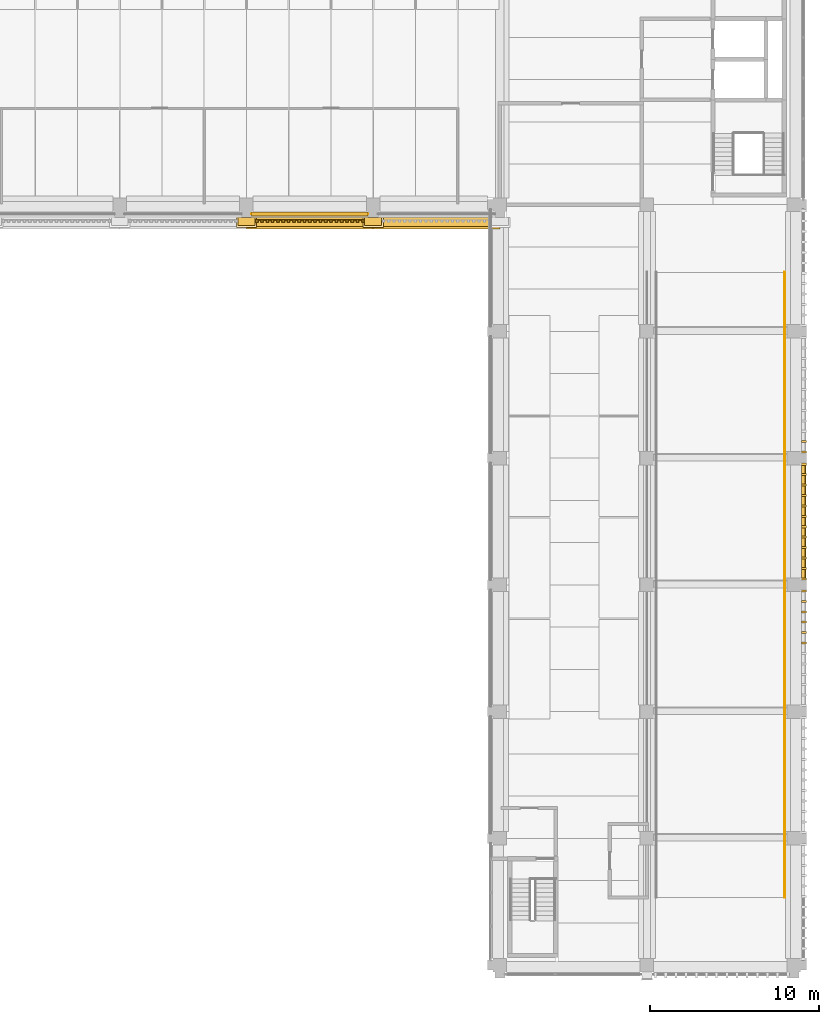
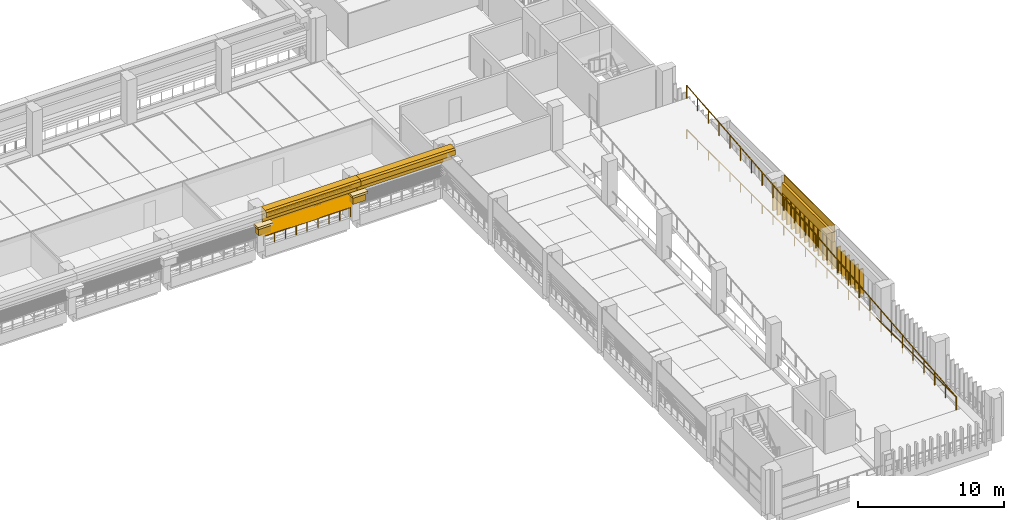
# One storey, part 60 of 71: 29 coverings, 5 shading devices, 3 railings.
"""IFC4 building model written with IfcOpenShell, lengths in metres."""

from ifc_helpers import new_model, si_unit, direction, frame, origin, origin_2d, place, context, subcontext, project, spatial, polyline, circle, outline, extrude, material, layer, layer_set, type_object, element, save


model = new_model("IFC4")

# Units and contexts
model_context = context("Model", 3, precision=1e-05, world=origin(), true_north=direction((0.0, 1.0)))
body_context = subcontext(model_context, "Body", "Model", "MODEL_VIEW")
ifc_project = project(units=[si_unit("LENGTHUNIT", "METRE"), si_unit("AREAUNIT", "SQUARE_METRE"), si_unit("VOLUMEUNIT", "CUBIC_METRE"), si_unit("PLANEANGLEUNIT", "RADIAN"), si_unit("MASSUNIT", "GRAM", prefix="KILO")], contexts=[model_context])

# Site, building, storey
site_placement = place(None, origin())
site = spatial("IfcSite", under=ifc_project, at=site_placement, CompositionType="ELEMENT")
building_placement = place(site_placement, origin())
building = spatial("IfcBuilding", under=site, at=building_placement, Name="Cour d'Honneur Mobility Palace", CompositionType="ELEMENT")
storey_placement = place(building_placement, frame((0.0, 0.0, 15.60009765625)))
storey = spatial("IfcBuildingStorey", under=building, at=storey_placement, Name="L04", CompositionType="ELEMENT", Elevation=15.60009765625)

# Railing
ifc_material_1 = material(Name="Painted steel", Category="steel")
railing_type_1 = type_object("IfcRailingType", Name="Balustrade", PredefinedType="BALUSTRADE", material=ifc_material_1)
railing_1_placement = place(storey_placement, frame((130.199951171875, 44.449951171875, 0.2998046875)))
element("IfcRailing", 1, at=railing_1_placement, inside=storey, type_object=railing_type_1, Name="Balustrade BAL-216", PredefinedType="BALUSTRADE", context=body_context, shape_type="SweptSolid", body=[
    extrude(circle(Radius=0.02392578125, at=origin_2d()), frame((0.0, 0.0, 0.77587890625), z_axis=(1.0, 0.0, 0.0), x_axis=(0.0, 1.0, 0.0)), (0.0, 0.0, 1.0), 6.900146484375),
    extrude(circle(Radius=0.02099609375, at=origin_2d()), origin(), (0.0, 0.0, 1.0), 0.751953125),
    extrude(circle(Radius=0.02099609375, at=origin_2d()), frame((0.862548828125, 0.0, 0.0)), (0.0, 0.0, 1.0), 0.751953125),
    extrude(circle(Radius=0.02099609375, at=origin_2d()), frame((1.72509765625, 0.0, 0.0)), (0.0, 0.0, 1.0), 0.751953125),
    extrude(circle(Radius=0.02099609375, at=origin_2d()), frame((2.587646484375, 0.0, 0.0)), (0.0, 0.0, 1.0), 0.751953125),
    extrude(circle(Radius=0.02099609375, at=origin_2d()), frame((3.4501953125, 0.0, 0.0)), (0.0, 0.0, 1.0), 0.751953125),
    extrude(circle(Radius=0.02099609375, at=origin_2d()), frame((4.3125, 0.0, 0.0)), (0.0, 0.0, 1.0), 0.751953125),
    extrude(circle(Radius=0.02099609375, at=origin_2d()), frame((5.175048828125, 0.0, 0.0)), (0.0, 0.0, 1.0), 0.751953125),
    extrude(circle(Radius=0.02099609375, at=origin_2d()), frame((6.03759765625, 0.0, 0.0)), (0.0, 0.0, 1.0), 0.751953125),
    extrude(circle(Radius=0.02099609375, at=origin_2d()), frame((6.900146484375, 0.0, 0.0)), (0.0, 0.0, 1.0), 0.751953125),
])

# Coverings
ifc_material_2 = material(Name="Cast limestone", Category="masonry")
ifc_layer_1 = layer(ifc_material_2, 0.14990234375)
ifc_layer_set_1 = layer_set([ifc_layer_1], Name="Cast limestone")
covering_type_1 = type_object("IfcCoveringType", Name="Dentil course", PredefinedType="CLADDING", material=ifc_layer_set_1)
covering_1_placement = place(storey_placement, frame((0.0, 0.0, 3.14990234375)))
element("IfcCovering", 2, at=covering_1_placement, inside=storey, type_object=covering_type_1, Name="Dentil course DC-81", PredefinedType="CLADDING", context=body_context, shape_type="SweptSolid", body=[
    extrude(outline(polyline([(130.35009765625, 44.10009765625), (136.949951171875, 44.10009765625), (136.949951171875, 44.070068359375), (136.949951171875, 44.070068359375), (136.871337890625, 44.070068359375), (136.871337890625, 43.949951171875), (136.71435546875, 43.949951171875), (136.71435546875, 44.070068359375), (136.6357421875, 44.070068359375), (136.6357421875, 44.070068359375), (136.55712890625, 44.070068359375), (136.55712890625, 43.949951171875), (136.39990234375, 43.949951171875), (136.39990234375, 44.070068359375), (136.321533203125, 44.070068359375), (136.321533203125, 44.070068359375), (136.242919921875, 44.070068359375), (136.242919921875, 43.949951171875), (136.085693359375, 43.949951171875), (136.085693359375, 44.070068359375), (136.007080078125, 44.070068359375), (136.007080078125, 44.070068359375), (135.928466796875, 44.070068359375), (135.928466796875, 43.949951171875), (135.771484375, 43.949951171875), (135.771484375, 44.070068359375), (135.69287109375, 44.070068359375), (135.69287109375, 44.070068359375), (135.6142578125, 44.070068359375), (135.6142578125, 43.949951171875), (135.45703125, 43.949951171875), (135.45703125, 44.070068359375), (135.378662109375, 44.070068359375), (135.378662109375, 44.070068359375), (135.300048828125, 44.070068359375), (135.300048828125, 43.949951171875), (135.142822265625, 43.949951171875), (135.142822265625, 44.070068359375), (135.064208984375, 44.070068359375), (135.064208984375, 44.070068359375), (134.985595703125, 44.070068359375), (134.985595703125, 43.949951171875), (134.82861328125, 43.949951171875), (134.82861328125, 44.070068359375), (134.75, 44.070068359375), (134.75, 44.070068359375), (134.67138671875, 44.070068359375), (134.67138671875, 43.949951171875), (134.514404296875, 43.949951171875), (134.514404296875, 44.070068359375), (134.435791015625, 44.070068359375), (134.435791015625, 44.070068359375), (134.357177734375, 44.070068359375), (134.357177734375, 43.949951171875), (134.199951171875, 43.949951171875), (134.199951171875, 44.070068359375), (134.121337890625, 44.070068359375), (134.121337890625, 44.070068359375), (134.04296875, 44.070068359375), (134.04296875, 43.949951171875), (133.8857421875, 43.949951171875), (133.8857421875, 44.070068359375), (133.80712890625, 44.070068359375), (133.80712890625, 44.070068359375), (133.728515625, 44.070068359375), (133.728515625, 43.949951171875), (133.571533203125, 43.949951171875), (133.571533203125, 44.070068359375), (133.492919921875, 44.070068359375), (133.492919921875, 44.070068359375), (133.414306640625, 44.070068359375), (133.414306640625, 43.949951171875), (133.257080078125, 43.949951171875), (133.257080078125, 44.070068359375), (133.178466796875, 44.070068359375), (133.178466796875, 44.070068359375), (133.10009765625, 44.070068359375), (133.10009765625, 43.949951171875), (132.94287109375, 43.949951171875), (132.94287109375, 44.070068359375), (132.8642578125, 44.070068359375), (132.8642578125, 44.070068359375), (132.78564453125, 44.070068359375), (132.78564453125, 43.949951171875), (132.628662109375, 43.949951171875), (132.628662109375, 44.070068359375), (132.550048828125, 44.070068359375), (132.550048828125, 44.070068359375), (132.471435546875, 44.070068359375), (132.471435546875, 43.949951171875), (132.314208984375, 43.949951171875), (132.314208984375, 44.070068359375), (132.235595703125, 44.070068359375), (132.235595703125, 44.070068359375), (132.1572265625, 44.070068359375), (132.1572265625, 43.949951171875), (132.0, 43.949951171875), (132.0, 44.070068359375), (131.92138671875, 44.070068359375), (131.92138671875, 44.070068359375), (131.8427734375, 44.070068359375), (131.8427734375, 43.949951171875), (131.685791015625, 43.949951171875), (131.685791015625, 44.070068359375), (131.607177734375, 44.070068359375), (131.607177734375, 44.070068359375), (131.528564453125, 44.070068359375), (131.528564453125, 43.949951171875), (131.371337890625, 43.949951171875), (131.371337890625, 44.070068359375), (131.29296875, 44.070068359375), (131.29296875, 44.070068359375), (131.21435546875, 44.070068359375), (131.21435546875, 43.949951171875), (131.05712890625, 43.949951171875), (131.05712890625, 44.070068359375), (130.978515625, 44.070068359375), (130.978515625, 44.070068359375), (130.89990234375, 44.070068359375), (130.89990234375, 43.949951171875), (130.742919921875, 43.949951171875), (130.742919921875, 44.070068359375), (130.664306640625, 44.070068359375), (130.664306640625, 44.070068359375), (130.585693359375, 44.070068359375), (130.585693359375, 43.949951171875), (130.428466796875, 43.949951171875), (130.428466796875, 44.070068359375), (130.35009765625, 44.070068359375), (130.35009765625, 44.10009765625)])), origin(), (0.0, 0.0, 1.0), 0.14990234375),
])
ifc_material_3 = material(Name="Cast limestone", Category="masonry")
ifc_layer_2 = layer(ifc_material_3, 0.699951171875)
ifc_layer_set_2 = layer_set([ifc_layer_2], Name="Cast limestone")
covering_type_2 = type_object("IfcCoveringType", Name="Entablature", PredefinedType="CLADDING", material=ifc_layer_set_2)
for number, where, z_axis, x_axis, name in (
    (3, (129.89990234375, 44.25, 2.599853515625), (-1.0, 0.0, 0.0), (0.0, -1.0, 0.0), "Entablature EN-81"),
    (4, (137.39990234375, 44.25, 2.599853515625), (-1.0, 0.0, 0.0), (0.0, -1.0, 0.0), "Entablature EN-82"),
):
    element("IfcCovering", number, at=place(storey_placement, frame(where, z_axis=z_axis, x_axis=x_axis)), inside=storey, type_object=covering_type_2, Name=name, PredefinedType="CLADDING", context=body_context, shape_type="SweptSolid", body=[
        extrude(outline(polyline([(0.0, 0.0), (0.14990234375, 0.0), (0.14990234375, 0.699951171875), (0.699951171875, 0.699951171875), (0.699951171875, 1.10009765625), (0.550048828125, 1.199951171875), (0.0, 1.199951171875), (0.0, 0.0)])), origin(), (0.0, 0.0, -1.0), 7.5),
    ])
ifc_material_4 = material(Name="Cast limestone", Category="masonry")
ifc_layer_3 = layer(ifc_material_4, 0.1201171875)
ifc_layer_set_3 = layer_set([ifc_layer_3], Name="Cast limestone")
covering_type_3 = type_object("IfcCoveringType", Name="Pilaster capital", PredefinedType="CLADDING", material=ifc_layer_set_3)
covering_2_placement = place(storey_placement, frame((0.0, 0.0, 1.7998046875)))
element("IfcCovering", 5, at=covering_2_placement, inside=storey, type_object=covering_type_3, Name="Pilaster capital PK-49", PredefinedType="CLADDING", context=body_context, shape_type="SweptSolid", body=[
    extrude(outline(polyline([(129.39990234375, 44.25), (130.39990234375, 44.25), (130.39990234375, 43.780029296875), (129.39990234375, 43.780029296875), (129.39990234375, 44.25)])), origin(), (0.0, 0.0, 1.0), 0.6201171875),
])
covering_3_placement = place(storey_placement, frame((0.0, 0.0, 2.419921875)))
element("IfcCovering", 6, at=covering_3_placement, inside=storey, type_object=covering_type_3, Name="Pilaster capital PK-50", PredefinedType="CLADDING", context=body_context, shape_type="SweptSolid", body=[
    extrude(outline(polyline([(129.300048828125, 44.25), (130.5, 44.25), (130.5, 43.64990234375), (129.300048828125, 43.64990234375), (129.300048828125, 44.25)])), origin(), (0.0, 0.0, 1.0), 0.179931640625),
])
covering_4_placement = place(storey_placement, frame((0.0, 0.0, 1.7998046875)))
element("IfcCovering", 7, at=covering_4_placement, inside=storey, type_object=covering_type_3, Name="Pilaster capital PK-51", PredefinedType="CLADDING", context=body_context, shape_type="SweptSolid", body=[
    extrude(outline(polyline([(136.89990234375, 44.25), (137.89990234375, 44.25), (137.89990234375, 43.780029296875), (136.89990234375, 43.780029296875), (136.89990234375, 44.25)])), origin(), (0.0, 0.0, 1.0), 0.6201171875),
])
covering_5_placement = place(storey_placement, frame((0.0, 0.0, 2.419921875)))
element("IfcCovering", 8, at=covering_5_placement, inside=storey, type_object=covering_type_3, Name="Pilaster capital PK-52", PredefinedType="CLADDING", context=body_context, shape_type="SweptSolid", body=[
    extrude(outline(polyline([(136.800048828125, 44.25), (138.0, 44.25), (138.0, 43.64990234375), (136.800048828125, 43.64990234375), (136.800048828125, 44.25)])), origin(), (0.0, 0.0, 1.0), 0.179931640625),
])

# Railing
ifc_material_5 = material(Name="Painted steel", Category="steel")
railing_type_2 = type_object("IfcRailingType", Name="Ramp guard 1100", PredefinedType="GUARDRAIL", material=ifc_material_5)
railing_2_placement = place(storey_placement, frame((161.75, 4.0, 0.0)))
element("IfcRailing", 9, at=railing_2_placement, inside=storey, type_object=railing_type_2, Name="Ramp guard Ramp East 5", PredefinedType="GUARDRAIL", context=body_context, shape_type="SweptSolid", body=[
    extrude(circle(Radius=0.02490234375, at=origin_2d()), frame((0.0, 0.0, 1.0751953125), z_axis=(0.0, 0.995037320222, 0.099502418892), x_axis=(-1.0, 0.0, 0.0)), (0.0, 0.0, 1.0), 37.1845703125),
    extrude(circle(Radius=0.02099609375, at=origin_2d()), origin(), (0.0, 0.0, 1.0), 1.050048828125),
    extrude(circle(Radius=0.02099609375, at=origin_2d()), frame((0.0, 1.47998046875, 0.14794921875)), (0.0, 0.0, 1.0), 1.050048828125),
    extrude(circle(Radius=0.02099609375, at=origin_2d()), frame((0.0, 2.9599609375, 0.2958984375)), (0.0, 0.0, 1.0), 1.050048828125),
    extrude(circle(Radius=0.02099609375, at=origin_2d()), frame((0.0, 4.43994140625, 0.444091796875)), (0.0, 0.0, 1.0), 1.050048828125),
    extrude(circle(Radius=0.02099609375, at=origin_2d()), frame((0.0, 5.919921875, 0.592041015625)), (0.0, 0.0, 1.0), 1.050048828125),
    extrude(circle(Radius=0.02099609375, at=origin_2d()), frame((0.0, 7.39990234375, 0.739990234375)), (0.0, 0.0, 1.0), 1.050048828125),
    extrude(circle(Radius=0.02099609375, at=origin_2d()), frame((0.0, 8.8798828125, 0.887939453125)), (0.0, 0.0, 1.0), 1.050048828125),
    extrude(circle(Radius=0.02099609375, at=origin_2d()), frame((0.0, 10.360107421875, 1.035888671875)), (0.0, 0.0, 1.0), 1.050048828125),
    extrude(circle(Radius=0.02099609375, at=origin_2d()), frame((0.0, 11.840087890625, 1.18408203125)), (0.0, 0.0, 1.0), 1.050048828125),
    extrude(circle(Radius=0.02099609375, at=origin_2d()), frame((0.0, 13.320068359375, 1.33203125)), (0.0, 0.0, 1.0), 1.050048828125),
    extrude(circle(Radius=0.02099609375, at=origin_2d()), frame((0.0, 14.800048828125, 1.47998046875)), (0.0, 0.0, 1.0), 1.050048828125),
    extrude(circle(Radius=0.02099609375, at=origin_2d()), frame((0.0, 16.280029296875, 1.6279296875)), (0.0, 0.0, 1.0), 1.050048828125),
    extrude(circle(Radius=0.02099609375, at=origin_2d()), frame((0.0, 17.760009765625, 1.77587890625)), (0.0, 0.0, 1.0), 1.050048828125),
    extrude(circle(Radius=0.02099609375, at=origin_2d()), frame((0.0, 19.239990234375, 1.924072265625)), (0.0, 0.0, 1.0), 1.050048828125),
    extrude(circle(Radius=0.02099609375, at=origin_2d()), frame((0.0, 20.719970703125, 2.072021484375)), (0.0, 0.0, 1.0), 1.050048828125),
    extrude(circle(Radius=0.02099609375, at=origin_2d()), frame((0.0, 22.199951171875, 2.219970703125)), (0.0, 0.0, 1.0), 1.050048828125),
    extrude(circle(Radius=0.02099609375, at=origin_2d()), frame((0.0, 23.679931640625, 2.367919921875)), (0.0, 0.0, 1.0), 1.050048828125),
    extrude(circle(Radius=0.02099609375, at=origin_2d()), frame((0.0, 25.159912109375, 2.515869140625)), (0.0, 0.0, 1.0), 1.050048828125),
    extrude(circle(Radius=0.02099609375, at=origin_2d()), frame((0.0, 26.639892578125, 2.6640625)), (0.0, 0.0, 1.0), 1.050048828125),
    extrude(circle(Radius=0.02099609375, at=origin_2d()), frame((0.0, 28.1201171875, 2.81201171875)), (0.0, 0.0, 1.0), 1.050048828125),
    extrude(circle(Radius=0.02099609375, at=origin_2d()), frame((0.0, 29.60009765625, 2.9599609375)), (0.0, 0.0, 1.0), 1.050048828125),
    extrude(circle(Radius=0.02099609375, at=origin_2d()), frame((0.0, 31.080078125, 3.10791015625)), (0.0, 0.0, 1.0), 1.050048828125),
    extrude(circle(Radius=0.02099609375, at=origin_2d()), frame((0.0, 32.56005859375, 3.255859375)), (0.0, 0.0, 1.0), 1.050048828125),
    extrude(circle(Radius=0.02099609375, at=origin_2d()), frame((0.0, 34.0400390625, 3.404052734375)), (0.0, 0.0, 1.0), 1.050048828125),
    extrude(circle(Radius=0.02099609375, at=origin_2d()), frame((0.0, 35.52001953125, 3.552001953125)), (0.0, 0.0, 1.0), 1.050048828125),
    extrude(circle(Radius=0.02099609375, at=origin_2d()), frame((0.0, 37.0, 3.699951171875)), (0.0, 0.0, 1.0), 1.050048828125),
])

# Coverings
ifc_material_6 = material(Name="Cast limestone", Category="masonry")
ifc_layer_4 = layer(ifc_material_6, 0.1201171875)
ifc_layer_set_4 = layer_set([ifc_layer_4], Name="Cast limestone")
covering_type_4 = type_object("IfcCoveringType", Name="Ramp screen fin", PredefinedType="CLADDING", material=ifc_layer_set_4)
covering_6_placement = place(storey_placement, origin())
element("IfcCovering", 10, at=covering_6_placement, inside=storey, type_object=covering_type_4, Name="Ramp screen fin E5.2 L04 7", PredefinedType="CLADDING", context=body_context, shape_type="SweptSolid", body=[
    extrude(outline(polyline([(162.75, 18.998291015625), (162.75, 19.1181640625), (163.050048828125, 19.1181640625), (163.050048828125, 18.998291015625), (162.75, 18.998291015625)])), origin(), (0.0, 0.0, 1.0), 2.2998046875),
])
covering_7_placement = place(storey_placement, origin())
element("IfcCovering", 11, at=covering_7_placement, inside=storey, type_object=covering_type_4, Name="Ramp screen fin E5.2 L04 8", PredefinedType="CLADDING", context=body_context, shape_type="SweptSolid", body=[
    extrude(outline(polyline([(162.75, 19.614501953125), (162.75, 19.734619140625), (163.050048828125, 19.734619140625), (163.050048828125, 19.614501953125), (162.75, 19.614501953125)])), origin(), (0.0, 0.0, 1.0), 2.2998046875),
])
covering_8_placement = place(storey_placement, origin())
element("IfcCovering", 12, at=covering_8_placement, inside=storey, type_object=covering_type_4, Name="Ramp screen fin E5.2 L04 9", PredefinedType="CLADDING", context=body_context, shape_type="SweptSolid", body=[
    extrude(outline(polyline([(162.75, 20.23095703125), (162.75, 20.350830078125), (163.050048828125, 20.350830078125), (163.050048828125, 20.23095703125), (162.75, 20.23095703125)])), origin(), (0.0, 0.0, 1.0), 2.2998046875),
])
covering_9_placement = place(storey_placement, origin())
element("IfcCovering", 13, at=covering_9_placement, inside=storey, type_object=covering_type_4, Name="Ramp screen fin E5.2 L04 10", PredefinedType="CLADDING", context=body_context, shape_type="SweptSolid", body=[
    extrude(outline(polyline([(162.75, 20.84716796875), (162.75, 20.96728515625), (163.050048828125, 20.96728515625), (163.050048828125, 20.84716796875), (162.75, 20.84716796875)])), origin(), (0.0, 0.0, 1.0), 2.2998046875),
])
covering_10_placement = place(storey_placement, origin())
element("IfcCovering", 14, at=covering_10_placement, inside=storey, type_object=covering_type_4, Name="Ramp screen fin E5.2 L04 11", PredefinedType="CLADDING", context=body_context, shape_type="SweptSolid", body=[
    extrude(outline(polyline([(162.75, 21.463623046875), (162.75, 21.583740234375), (163.050048828125, 21.583740234375), (163.050048828125, 21.463623046875), (162.75, 21.463623046875)])), origin(), (0.0, 0.0, 1.0), 2.2998046875),
])
covering_11_placement = place(storey_placement, origin())
element("IfcCovering", 15, at=covering_11_placement, inside=storey, type_object=covering_type_4, Name="Ramp screen fin E5.2 L04 12", PredefinedType="CLADDING", context=body_context, shape_type="SweptSolid", body=[
    extrude(outline(polyline([(162.75, 22.080078125), (162.75, 22.199951171875), (163.050048828125, 22.199951171875), (163.050048828125, 22.080078125), (162.75, 22.080078125)])), origin(), (0.0, 0.0, 1.0), 2.2998046875),
])
covering_12_placement = place(storey_placement, origin())
element("IfcCovering", 16, at=covering_12_placement, inside=storey, type_object=covering_type_4, Name="Ramp screen fin E5.3 L04 1", PredefinedType="CLADDING", context=body_context, shape_type="SweptSolid", body=[
    extrude(outline(polyline([(162.75, 22.800048828125), (162.75, 22.919921875), (163.050048828125, 22.919921875), (163.050048828125, 22.800048828125), (162.75, 22.800048828125)])), origin(), (0.0, 0.0, 1.0), 2.2998046875),
])
covering_13_placement = place(storey_placement, origin())
element("IfcCovering", 17, at=covering_13_placement, inside=storey, type_object=covering_type_4, Name="Ramp screen fin E5.3 L04 2", PredefinedType="CLADDING", context=body_context, shape_type="SweptSolid", body=[
    extrude(outline(polyline([(162.75, 23.416259765625), (162.75, 23.536376953125), (163.050048828125, 23.536376953125), (163.050048828125, 23.416259765625), (162.75, 23.416259765625)])), origin(), (0.0, 0.0, 1.0), 2.2998046875),
])
covering_14_placement = place(storey_placement, origin())
element("IfcCovering", 18, at=covering_14_placement, inside=storey, type_object=covering_type_4, Name="Ramp screen fin E5.3 L04 3", PredefinedType="CLADDING", context=body_context, shape_type="SweptSolid", body=[
    extrude(outline(polyline([(162.75, 24.03271484375), (162.75, 24.15283203125), (163.050048828125, 24.15283203125), (163.050048828125, 24.03271484375), (162.75, 24.03271484375)])), origin(), (0.0, 0.0, 1.0), 2.2998046875),
])
covering_15_placement = place(storey_placement, origin())
element("IfcCovering", 19, at=covering_15_placement, inside=storey, type_object=covering_type_4, Name="Ramp screen fin E5.3 L04 4", PredefinedType="CLADDING", context=body_context, shape_type="SweptSolid", body=[
    extrude(outline(polyline([(162.75, 24.649169921875), (162.75, 24.76904296875), (163.050048828125, 24.76904296875), (163.050048828125, 24.649169921875), (162.75, 24.649169921875)])), origin(), (0.0, 0.0, 1.0), 2.2998046875),
])
covering_16_placement = place(storey_placement, origin())
element("IfcCovering", 20, at=covering_16_placement, inside=storey, type_object=covering_type_4, Name="Ramp screen fin E5.3 L04 5", PredefinedType="CLADDING", context=body_context, shape_type="SweptSolid", body=[
    extrude(outline(polyline([(162.75, 25.265380859375), (162.75, 25.385498046875), (163.050048828125, 25.385498046875), (163.050048828125, 25.265380859375), (162.75, 25.265380859375)])), origin(), (0.0, 0.0, 1.0), 2.2998046875),
])
covering_17_placement = place(storey_placement, origin())
element("IfcCovering", 21, at=covering_17_placement, inside=storey, type_object=covering_type_4, Name="Ramp screen fin E5.3 L04 6", PredefinedType="CLADDING", context=body_context, shape_type="SweptSolid", body=[
    extrude(outline(polyline([(162.75, 25.8818359375), (162.75, 26.001708984375), (163.050048828125, 26.001708984375), (163.050048828125, 25.8818359375), (162.75, 25.8818359375)])), origin(), (0.0, 0.0, 1.0), 2.2998046875),
])
covering_18_placement = place(storey_placement, origin())
element("IfcCovering", 22, at=covering_18_placement, inside=storey, type_object=covering_type_4, Name="Ramp screen fin E5.3 L04 7", PredefinedType="CLADDING", context=body_context, shape_type="SweptSolid", body=[
    extrude(outline(polyline([(162.75, 26.498291015625), (162.75, 26.6181640625), (163.050048828125, 26.6181640625), (163.050048828125, 26.498291015625), (162.75, 26.498291015625)])), origin(), (0.0, 0.0, 1.0), 2.2998046875),
])
covering_19_placement = place(storey_placement, origin())
element("IfcCovering", 23, at=covering_19_placement, inside=storey, type_object=covering_type_4, Name="Ramp screen fin E5.3 L04 8", PredefinedType="CLADDING", context=body_context, shape_type="SweptSolid", body=[
    extrude(outline(polyline([(162.75, 27.114501953125), (162.75, 27.234619140625), (163.050048828125, 27.234619140625), (163.050048828125, 27.114501953125), (162.75, 27.114501953125)])), origin(), (0.0, 0.0, 1.0), 2.2998046875),
])
covering_20_placement = place(storey_placement, origin())
element("IfcCovering", 24, at=covering_20_placement, inside=storey, type_object=covering_type_4, Name="Ramp screen fin E5.3 L04 9", PredefinedType="CLADDING", context=body_context, shape_type="SweptSolid", body=[
    extrude(outline(polyline([(162.75, 27.73095703125), (162.75, 27.850830078125), (163.050048828125, 27.850830078125), (163.050048828125, 27.73095703125), (162.75, 27.73095703125)])), origin(), (0.0, 0.0, 1.0), 2.2998046875),
])
covering_21_placement = place(storey_placement, origin())
element("IfcCovering", 25, at=covering_21_placement, inside=storey, type_object=covering_type_4, Name="Ramp screen fin E5.3 L04 10", PredefinedType="CLADDING", context=body_context, shape_type="SweptSolid", body=[
    extrude(outline(polyline([(162.75, 28.34716796875), (162.75, 28.46728515625), (163.050048828125, 28.46728515625), (163.050048828125, 28.34716796875), (162.75, 28.34716796875)])), origin(), (0.0, 0.0, 1.0), 2.2998046875),
])
covering_22_placement = place(storey_placement, origin())
element("IfcCovering", 26, at=covering_22_placement, inside=storey, type_object=covering_type_4, Name="Ramp screen fin E5.3 L04 11", PredefinedType="CLADDING", context=body_context, shape_type="SweptSolid", body=[
    extrude(outline(polyline([(162.75, 28.963623046875), (162.75, 29.083740234375), (163.050048828125, 29.083740234375), (163.050048828125, 28.963623046875), (162.75, 28.963623046875)])), origin(), (0.0, 0.0, 1.0), 2.2998046875),
])
covering_23_placement = place(storey_placement, origin())
element("IfcCovering", 27, at=covering_23_placement, inside=storey, type_object=covering_type_4, Name="Ramp screen fin E5.3 L04 12", PredefinedType="CLADDING", context=body_context, shape_type="SweptSolid", body=[
    extrude(outline(polyline([(162.75, 29.580078125), (162.75, 29.699951171875), (163.050048828125, 29.699951171875), (163.050048828125, 29.580078125), (162.75, 29.580078125)])), origin(), (0.0, 0.0, 1.0), 2.2998046875),
])
covering_24_placement = place(storey_placement, origin())
element("IfcCovering", 28, at=covering_24_placement, inside=storey, type_object=covering_type_4, Name="Ramp screen fin E5.4 L04 1", PredefinedType="CLADDING", context=body_context, shape_type="SweptSolid", body=[
    extrude(outline(polyline([(162.75, 30.300048828125), (162.75, 30.419921875), (163.050048828125, 30.419921875), (163.050048828125, 30.300048828125), (162.75, 30.300048828125)])), origin(), (0.0, 0.0, 1.0), 2.2998046875),
])
covering_25_placement = place(storey_placement, origin())
element("IfcCovering", 29, at=covering_25_placement, inside=storey, type_object=covering_type_4, Name="Ramp screen fin E5.4 L04 2", PredefinedType="CLADDING", context=body_context, shape_type="SweptSolid", body=[
    extrude(outline(polyline([(162.75, 30.916259765625), (162.75, 31.036376953125), (163.050048828125, 31.036376953125), (163.050048828125, 30.916259765625), (162.75, 30.916259765625)])), origin(), (0.0, 0.0, 1.0), 2.2998046875),
])
ifc_material_7 = material(Name="Cast limestone", Category="masonry")
ifc_layer_5 = layer(ifc_material_7, 0.25)
ifc_layer_set_5 = layer_set([ifc_layer_5], Name="Cast limestone")
covering_type_5 = type_object("IfcCoveringType", Name="Spandrel cladding", PredefinedType="CLADDING", material=ifc_layer_set_5)
for number, where, z_axis, x_axis, name in (
    (30, (130.199951171875, 44.550048828125, 2.2998046875), (-1.0, 0.0, 0.0), (0.0, -1.0, 0.0), "Spandrel cladding SK-292"),
    (31, (162.75, 22.800048828125, 2.2998046875), (0.0, -1.0, 0.0), (1.0, 0.0, 0.0), "Spandrel cladding SK-300"),
):
    element("IfcCovering", number, at=place(storey_placement, frame(where, z_axis=z_axis, x_axis=x_axis)), inside=storey, type_object=covering_type_5, Name=name, PredefinedType="CLADDING", context=body_context, shape_type="SweptSolid", body=[
        extrude(outline(polyline([(0.0, 0.0), (0.25, 0.0), (0.25, 1.400146484375), (0.199951171875, 1.400146484375), (0.199951171875, 0.800048828125), (0.0, 0.800048828125), (0.0, 0.0)])), origin(), (0.0, 0.0, -1.0), 6.89990234375),
    ])

# Shading devices
ifc_material_8 = material(Name="Terracotta", Category="masonry")
ifc_layer_6 = layer(ifc_material_8, 0.02490234375)
ifc_layer_set_6 = layer_set([ifc_layer_6], Name="Terracotta")
shading_device_type = type_object("IfcShadingDeviceType", Name="Terracotta louvre blade", PredefinedType="JALOUSIE", material=ifc_layer_set_6)
for number, where, z_axis, x_axis, name in (
    (32, (130.199951171875, 44.55615234375, 1.099853515625), (0.0, 0.707106781187, 0.707106781187), (1.0, 0.0, 0.0), "Louvre blade LV-1 S2.15 L04 1"),
    (33, (130.199951171875, 44.55615234375, 1.31201171875), (0.0, 0.707106781187, 0.707106781187), (1.0, 0.0, 0.0), "Louvre blade LV-1 S2.15 L04 2"),
    (34, (130.199951171875, 44.55615234375, 1.524169921875), (0.0, 0.707106781187, 0.707106781187), (1.0, 0.0, 0.0), "Louvre blade LV-1 S2.15 L04 3"),
    (35, (130.199951171875, 44.55615234375, 1.736328125), (0.0, 0.707106781187, 0.707106781187), (1.0, 0.0, 0.0), "Louvre blade LV-1 S2.15 L04 4"),
    (36, (130.199951171875, 44.55615234375, 1.948486328125), (0.0, 0.707106781187, 0.707106781187), (1.0, 0.0, 0.0), "Louvre blade LV-1 S2.15 L04 5"),
):
    element("IfcShadingDevice", number, at=place(storey_placement, frame(where, z_axis=z_axis, x_axis=x_axis)), inside=storey, type_object=shading_device_type, Name=name, PredefinedType="JALOUSIE", context=body_context, shape_type="SweptSolid", body=[
        extrude(outline(polyline([(0.0, 0.0), (6.900146484375, 0.0), (6.900146484375, -0.300037008228081), (0.0, -0.300037008228081), (0.0, 0.0)])), origin(), (0.0, 0.0, -1.0), 0.02490234375),
    ])

# Railing
ifc_material_9 = material(Name="Painted steel", Category="steel")
railing_type_3 = type_object("IfcRailingType", Name="Void edge guard 1100", PredefinedType="GUARDRAIL", material=ifc_material_9)
railing_3_placement = place(storey_placement, frame((161.75, 4.0, 0.2998046875)))
element("IfcRailing", 37, at=railing_3_placement, inside=storey, type_object=railing_type_3, Name="Void edge guard SE L04", PredefinedType="GUARDRAIL", context=body_context, shape_type="SweptSolid", body=[
    extrude(circle(Radius=0.02490234375, at=origin_2d()), frame((0.0, 0.0, 0.77490234375), z_axis=(0.0, 1.0, 0.0), x_axis=(-1.0, 0.0, 0.0)), (0.0, 0.0, 1.0), 37.0),
    extrude(circle(Radius=0.02099609375, at=origin_2d()), origin(), (0.0, 0.0, 1.0), 0.75),
    extrude(circle(Radius=0.02099609375, at=origin_2d()), frame((0.0, 1.47998046875, 0.0)), (0.0, 0.0, 1.0), 0.75),
    extrude(circle(Radius=0.02099609375, at=origin_2d()), frame((0.0, 2.9599609375, 0.0)), (0.0, 0.0, 1.0), 0.75),
    extrude(circle(Radius=0.02099609375, at=origin_2d()), frame((0.0, 4.43994140625, 0.0)), (0.0, 0.0, 1.0), 0.75),
    extrude(circle(Radius=0.02099609375, at=origin_2d()), frame((0.0, 5.919921875, 0.0)), (0.0, 0.0, 1.0), 0.75),
    extrude(circle(Radius=0.02099609375, at=origin_2d()), frame((0.0, 7.39990234375, 0.0)), (0.0, 0.0, 1.0), 0.75),
    extrude(circle(Radius=0.02099609375, at=origin_2d()), frame((0.0, 8.8798828125, 0.0)), (0.0, 0.0, 1.0), 0.75),
    extrude(circle(Radius=0.02099609375, at=origin_2d()), frame((0.0, 10.360107421875, 0.0)), (0.0, 0.0, 1.0), 0.75),
    extrude(circle(Radius=0.02099609375, at=origin_2d()), frame((0.0, 11.840087890625, 0.0)), (0.0, 0.0, 1.0), 0.75),
    extrude(circle(Radius=0.02099609375, at=origin_2d()), frame((0.0, 13.320068359375, 0.0)), (0.0, 0.0, 1.0), 0.75),
    extrude(circle(Radius=0.02099609375, at=origin_2d()), frame((0.0, 14.800048828125, 0.0)), (0.0, 0.0, 1.0), 0.75),
    extrude(circle(Radius=0.02099609375, at=origin_2d()), frame((0.0, 16.280029296875, 0.0)), (0.0, 0.0, 1.0), 0.75),
    extrude(circle(Radius=0.02099609375, at=origin_2d()), frame((0.0, 17.760009765625, 0.0)), (0.0, 0.0, 1.0), 0.75),
    extrude(circle(Radius=0.02099609375, at=origin_2d()), frame((0.0, 19.239990234375, 0.0)), (0.0, 0.0, 1.0), 0.75),
    extrude(circle(Radius=0.02099609375, at=origin_2d()), frame((0.0, 20.719970703125, 0.0)), (0.0, 0.0, 1.0), 0.75),
    extrude(circle(Radius=0.02099609375, at=origin_2d()), frame((0.0, 22.199951171875, 0.0)), (0.0, 0.0, 1.0), 0.75),
    extrude(circle(Radius=0.02099609375, at=origin_2d()), frame((0.0, 23.679931640625, 0.0)), (0.0, 0.0, 1.0), 0.75),
    extrude(circle(Radius=0.02099609375, at=origin_2d()), frame((0.0, 25.159912109375, 0.0)), (0.0, 0.0, 1.0), 0.75),
    extrude(circle(Radius=0.02099609375, at=origin_2d()), frame((0.0, 26.639892578125, 0.0)), (0.0, 0.0, 1.0), 0.75),
    extrude(circle(Radius=0.02099609375, at=origin_2d()), frame((0.0, 28.1201171875, 0.0)), (0.0, 0.0, 1.0), 0.75),
    extrude(circle(Radius=0.02099609375, at=origin_2d()), frame((0.0, 29.60009765625, 0.0)), (0.0, 0.0, 1.0), 0.75),
    extrude(circle(Radius=0.02099609375, at=origin_2d()), frame((0.0, 31.080078125, 0.0)), (0.0, 0.0, 1.0), 0.75),
    extrude(circle(Radius=0.02099609375, at=origin_2d()), frame((0.0, 32.56005859375, 0.0)), (0.0, 0.0, 1.0), 0.75),
    extrude(circle(Radius=0.02099609375, at=origin_2d()), frame((0.0, 34.0400390625, 0.0)), (0.0, 0.0, 1.0), 0.75),
    extrude(circle(Radius=0.02099609375, at=origin_2d()), frame((0.0, 35.52001953125, 0.0)), (0.0, 0.0, 1.0), 0.75),
    extrude(circle(Radius=0.02099609375, at=origin_2d()), frame((0.0, 37.0, 0.0)), (0.0, 0.0, 1.0), 0.75),
])

save(model, "model.ifc")
